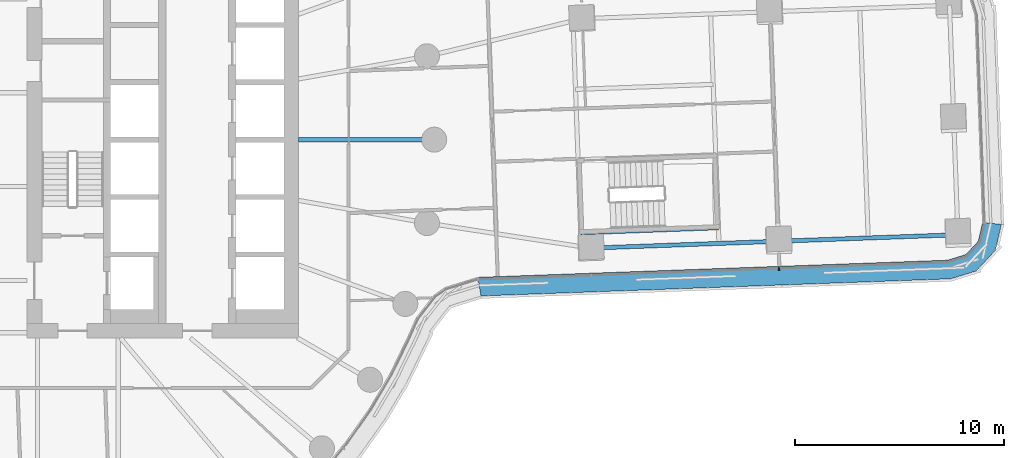
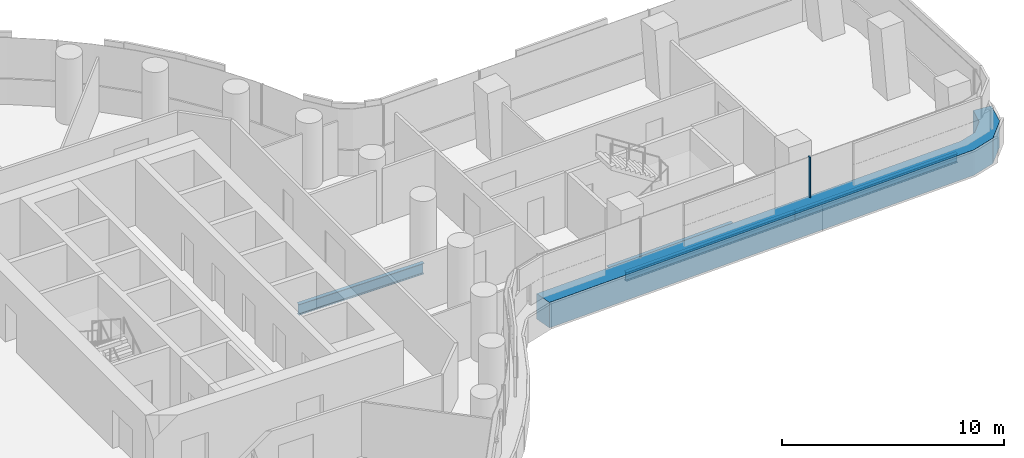
# One storey, part 10 of 31: 4 beams, 2 members, 1 element without a shape of its own.
"""IFC4 building model written with IfcOpenShell, lengths in metres."""

import ifcopenshell
import ifcopenshell.guid

model = None  # the IFC model being written
_history = None  # IfcOwnerHistory: only IFC2X3 demands one
_inside = {}  # id of a spatial element -> (the spatial element, [elements in it])
_under = {}  # id of a project, library or spatial element -> (it, [spatial elements below it])
_declared = {}  # id of a project -> (the project, [libraries it declares])
_typed = {}  # id of a type object -> (the type object, [elements of that type])
_made_of = {}  # id of a material, layer set ... -> (it, [elements and type objects made of it])


def new_model(schema):
    """Start an empty IFC model of exactly this schema.

    Asked for "IFC4X3", IfcOpenShell would pick the latest addendum, in which some entities
    have other attributes; the version numbers below select the first issue.
    IFC2X3 requires an IfcOwnerHistory on every rooted entity: one is made here for all.
    """
    global model, _history
    if schema == "IFC4X3":
        model = ifcopenshell.file(schema_version=(4, 3, 0, 0))
    else:
        model = ifcopenshell.file(schema=schema)
    _inside.clear()
    _under.clear()
    _declared.clear()
    _typed.clear()
    _made_of.clear()
    _history = None
    if model.schema == "IFC2X3":
        org = make("IfcOrganization", Name="unknown")
        user = make(
            "IfcPersonAndOrganization",
            ThePerson=make("IfcPerson", FamilyName="unknown"),
            TheOrganization=org,
        )
        app = make(
            "IfcApplication",
            ApplicationDeveloper=org,
            Version="unknown",
            ApplicationFullName="unknown",
            ApplicationIdentifier="unknown",
        )
        _history = make(
            "IfcOwnerHistory",
            OwningUser=user,
            OwningApplication=app,
            ChangeAction="ADDED",
            CreationDate=0,
        )
    return model


def make(cls, **values):
    """One entity of the class cls with the attributes given. An attribute that is None is left unset."""
    return model.create_entity(
        cls, **{name: value for name, value in values.items() if value is not None}
    )


def rooted(cls, **values):
    """An entity with a GlobalId (a new one), such as an element, a storey or a relation."""
    return make(cls, GlobalId=ifcopenshell.guid.new(), OwnerHistory=_history, **values)


def si_unit(unit_type, name, prefix=None):
    """IfcSIUnit, for example si_unit("LENGTHUNIT", "METRE", prefix="MILLI")."""
    return make("IfcSIUnit", UnitType=unit_type, Prefix=prefix, Name=name)


def assignment(units):
    """IfcUnitAssignment: the units of a project."""
    return None if units is None else make("IfcUnitAssignment", Units=units)


def point(xyz):
    """IfcCartesianPoint."""
    return None if xyz is None else make("IfcCartesianPoint", Coordinates=xyz)


def direction(xyz):
    """IfcDirection."""
    return None if xyz is None else make("IfcDirection", DirectionRatios=xyz)


def frame(location, z_axis=None, x_axis=None):
    """IfcAxis2Placement3D, a coordinate frame: its origin and axes. An axis left out is left unset."""
    return make(
        "IfcAxis2Placement3D",
        Location=point(location),
        Axis=direction(z_axis),
        RefDirection=direction(x_axis),
    )


def frame_2d(location, x_axis=None):
    """IfcAxis2Placement2D, a coordinate frame in the plane: its origin and x axis."""
    return make(
        "IfcAxis2Placement2D", Location=point(location), RefDirection=direction(x_axis)
    )


def origin():
    """The frame at (0, 0, 0) with its axes left unset."""
    return frame((0.0, 0.0, 0.0))


def origin_2d():
    """The frame at (0, 0) in the plane with its x axis left unset."""
    return frame_2d((0.0, 0.0))


def place(relative_to, where):
    """IfcLocalPlacement: puts the frame where relative to a parent placement (None: the world)."""
    return make(
        "IfcLocalPlacement", PlacementRelTo=relative_to, RelativePlacement=where
    )


def context(
    kind, dimensions, precision=None, world=None, true_north=None, identifier=None
):
    """IfcGeometricRepresentationContext, for example the 3D "Model" context."""
    return make(
        "IfcGeometricRepresentationContext",
        ContextIdentifier=identifier,
        ContextType=kind,
        CoordinateSpaceDimension=dimensions,
        Precision=precision,
        WorldCoordinateSystem=world,
        TrueNorth=true_north,
    )


def subcontext(parent, identifier, kind, view, scale=None):
    """IfcGeometricRepresentationSubContext, for example "Body" below "Model"."""
    return make(
        "IfcGeometricRepresentationSubContext",
        ContextIdentifier=identifier,
        ContextType=kind,
        ParentContext=parent,
        TargetScale=scale,
        TargetView=view,
    )


def project(units=None, contexts=None):
    """IfcProject with its units and contexts."""
    return rooted(
        "IfcProject",
        Name="project",
        RepresentationContexts=contexts,
        UnitsInContext=assignment(units),
    )


def spatial(cls, under=None, at=None, **own):
    """A site, building, storey or space (cls), placed at a placement, below another one or the project."""
    s = rooted(cls, ObjectPlacement=at, **own)
    if under is not None:
        _under.setdefault(under.id(), (under, []))[1].append(s)
    return s


def polyline(points):
    """IfcPolyline through the points."""
    return make("IfcPolyline", Points=[point(p) for p in points])


def profile(cls, at=None, kind="AREA", **sizes):
    """A parametric profile (cls). Its sizes go by their IFC names, for example OverallWidth=200.0."""
    return make(cls, ProfileType=kind, Position=at, **sizes)


def rectangle(**sizes):
    """IfcRectangleProfileDef."""
    return profile("IfcRectangleProfileDef", **sizes)


def i_section(**sizes):
    """IfcIShapeProfileDef."""
    return profile("IfcIShapeProfileDef", **sizes)


def outline(outer, holes=None, kind="AREA"):
    """IfcArbitraryClosedProfileDef: a profile drawn as a closed curve; with holes, ...WithVoids."""
    if holes is None:
        return make("IfcArbitraryClosedProfileDef", ProfileType=kind, OuterCurve=outer)
    return make(
        "IfcArbitraryProfileDefWithVoids",
        ProfileType=kind,
        OuterCurve=outer,
        InnerCurves=holes,
    )


def extrude(swept, where, along, depth):
    """IfcExtrudedAreaSolid: the profile swept, set in the frame where, extruded along a direction by depth."""
    return make(
        "IfcExtrudedAreaSolid",
        SweptArea=swept,
        Position=where,
        ExtrudedDirection=direction(along),
        Depth=depth,
    )


def shape(context_of_items, identifier, shape_type, items):
    """IfcShapeRepresentation: the items that make up one representation, for example the "Body"."""
    return make(
        "IfcShapeRepresentation",
        ContextOfItems=context_of_items,
        RepresentationIdentifier=identifier,
        RepresentationType=shape_type,
        Items=items,
    )


def material(Name=None, Category=None):
    """IfcMaterial."""
    return make("IfcMaterial", Name=Name, Category=Category)


def layer(
    of_material, thickness, ventilated=None, Name=None, Category=None, Priority=None
):
    """IfcMaterialLayer: one layer of a wall or slab, of a material (None: an air gap)."""
    return make(
        "IfcMaterialLayer",
        Material=of_material,
        LayerThickness=thickness,
        IsVentilated=ventilated,
        Name=Name,
        Category=Category,
        Priority=Priority,
    )


def layer_set(layers, Name=None):
    """IfcMaterialLayerSet."""
    return make("IfcMaterialLayerSet", MaterialLayers=layers, LayerSetName=Name)


def material_profile(
    of_material, cross_section, Name=None, Category=None, Priority=None
):
    """IfcMaterialProfile: a cross section and its material."""
    return make(
        "IfcMaterialProfile",
        Name=Name,
        Material=of_material,
        Profile=cross_section,
        Priority=Priority,
        Category=Category,
    )


def profile_set(profiles, Name=None, composite=None):
    """IfcMaterialProfileSet."""
    return make(
        "IfcMaterialProfileSet",
        Name=Name,
        MaterialProfiles=profiles,
        CompositeProfile=composite,
    )


def made_of(thing, what):
    """Note that an element or type object is made of a material, layer set ...; save() writes the relation."""
    if what is not None:
        _made_of.setdefault(what.id(), (what, []))[1].append(thing)
    return thing


def type_object(cls, material=None, **own):
    """A type object (cls), such as IfcWallType, which elements share."""
    return made_of(rooted(cls, **own), material)


def element(
    cls,
    number,
    at=None,
    inside=None,
    cuts=None,
    type_object=None,
    material=None,
    context=None,
    identifier="Body",
    shape_type=None,
    held_by="IfcProductDefinitionShape",
    body=None,
    shapes=None,
    **own,
):
    """One element of the class cls, such as IfcWall. Its Tag is "e" and its number.

    at: its placement. inside: the storey or other place that contains it. cuts: it is an
    opening in that element (IfcRelVoidsElement). A single representation is given by context,
    identifier, shape_type and body (its items); several are given by shapes. held_by: the class
    of the entity that holds the representations. save() writes the other relations.
    """
    e = rooted(cls, Tag="e%d" % number, ObjectPlacement=at, **own)
    if body is not None:
        shapes = [shape(context, identifier, shape_type, body)]
    if shapes is not None:
        e.Representation = make(held_by, Representations=shapes)
    if inside is not None:
        _inside.setdefault(inside.id(), (inside, []))[1].append(e)
    if cuts is not None:
        rooted(
            "IfcRelVoidsElement", RelatingBuildingElement=cuts, RelatedOpeningElement=e
        )
    if type_object is not None:
        _typed.setdefault(type_object.id(), (type_object, []))[1].append(e)
    return made_of(e, material)


def aggregate(whole, parts):
    """IfcRelAggregates: a whole, such as a stair, and the parts it consists of."""
    return rooted("IfcRelAggregates", RelatingObject=whole, RelatedObjects=parts)


def save(model, path):
    """Write the relations noted so far, then the file.

    IfcRelAggregates (storeys below a building ...), IfcRelContainedInSpatialStructure (elements
    in a storey), IfcRelDefinesByType, IfcRelAssociatesMaterial and IfcRelDeclares: one each for
    every whole, place, type object, material and project.
    """
    for whole, parts in _under.values():
        aggregate(whole, parts)
    for where, things in _inside.values():
        rooted(
            "IfcRelContainedInSpatialStructure",
            RelatedElements=things,
            RelatingStructure=where,
        )
    for kind, things in _typed.values():
        rooted("IfcRelDefinesByType", RelatedObjects=things, RelatingType=kind)
    for what, things in _made_of.values():
        rooted("IfcRelAssociatesMaterial", RelatedObjects=things, RelatingMaterial=what)
    for by, libraries in _declared.values():
        rooted("IfcRelDeclares", RelatingContext=by, RelatedDefinitions=libraries)
    model.write(path)


model = new_model("IFC4")

# Units and contexts
model_context = context("Model", 3, precision=1e-05, world=origin(), true_north=direction((0.0, 1.0)))
body_context = subcontext(model_context, "Body", "Model", "MODEL_VIEW")
ifc_project = project(units=[si_unit("LENGTHUNIT", "METRE"), si_unit("AREAUNIT", "SQUARE_METRE"), si_unit("VOLUMEUNIT", "CUBIC_METRE"), si_unit("PLANEANGLEUNIT", "RADIAN"), si_unit("MASSUNIT", "GRAM", prefix="KILO")], contexts=[model_context])

# Site, building, storey
site_placement = place(None, origin())
site = spatial("IfcSite", under=ifc_project, at=site_placement, CompositionType="ELEMENT")
building_placement = place(site_placement, origin())
building = spatial("IfcBuilding", under=site, at=building_placement, Name="Tamarind Cross Interchange Tower", CompositionType="ELEMENT")
storey_placement = place(building_placement, frame((0.0, 0.0, 41.5)))
storey = spatial("IfcBuildingStorey", under=building, at=storey_placement, Name="L08", CompositionType="ELEMENT", Elevation=41.5)

# Beams
ifc_material_1 = material(Name="Steel Q355B", Category="steel")
ifc_material_profile_1 = material_profile(ifc_material_1, i_section(OverallWidth=0.198974609375, OverallDepth=0.49609375, WebThickness=0.009033203125, FlangeThickness=0.013916015625, FilletRadius=0.012939453125, at=origin_2d()), Name="HN 496x199x9x14")
ifc_profile_set_1 = profile_set([ifc_material_profile_1], Name="Steel Q355B")
beam_type_1 = type_object("IfcBeamType", Name="Composite beam HN 496x199x9x14 Q355B", PredefinedType="BEAM", material=ifc_profile_set_1)
beam_1_placement = place(storey_placement, frame((48.08544921875, -4.552001953125, -0.387939453125), z_axis=(-0.999335782267, -0.036441655858, 0.0), x_axis=(0.036441655858, -0.999335782267, 0.0)))
element("IfcBeam", 1, at=beam_1_placement, inside=storey, type_object=beam_type_1, Name="Beam E-edgeem5", PredefinedType="BEAM", context=body_context, shape_type="SweptSolid", body=[
    extrude(i_section(OverallWidth=0.198974609375, OverallDepth=0.49609375, WebThickness=0.009033203125, FlangeThickness=0.013916015625, FilletRadius=0.012939453125, at=origin_2d()), origin(), (0.0, 0.0, 1.0), 8.60205078125),
])
beam_2_placement = place(storey_placement, frame((39.489013671875, -4.865478515625, -0.387939453125), z_axis=(-0.999335156233, -0.036458819457, 0.0), x_axis=(0.036458819457, -0.999335156233, 0.0)))
element("IfcBeam", 2, at=beam_2_placement, inside=storey, type_object=beam_type_1, Name="Beam E-edgeem6", PredefinedType="BEAM", context=body_context, shape_type="SweptSolid", body=[
    extrude(i_section(OverallWidth=0.198974609375, OverallDepth=0.49609375, WebThickness=0.009033203125, FlangeThickness=0.013916015625, FilletRadius=0.012939453125, at=origin_2d()), origin(), (0.0, 0.0, 1.0), 9.0),
])
beam_3_placement = place(storey_placement, frame((30.01806640625, -4.460693359375, -0.387939453125), z_axis=(0.999334603893, 0.03647395593, 0.0), x_axis=(-0.03647395593, 0.999334603893, 0.0)))
element("IfcBeam", 3, at=beam_3_placement, inside=storey, type_object=beam_type_1, Name="Beam E-tr0", PredefinedType="BEAM", context=body_context, shape_type="SweptSolid", body=[
    extrude(i_section(OverallWidth=0.198974609375, OverallDepth=0.49609375, WebThickness=0.009033203125, FlangeThickness=0.013916015625, FilletRadius=0.012939453125, at=origin_2d()), origin(), (0.0, 0.0, 1.0), 6.599853515625),
])
ifc_material_profile_2 = material_profile(ifc_material_1, i_section(OverallWidth=0.198974609375, OverallDepth=0.595947265625, WebThickness=0.010009765625, FlangeThickness=0.014892578125, FilletRadius=0.012939453125, at=origin_2d()), Name="HN 596x199x10x15")
ifc_profile_set_2 = profile_set([ifc_material_profile_2], Name="Steel Q355B")
beam_type_2 = type_object("IfcBeamType", Name="Composite beam HN 596x199x10x15 Q355B", PredefinedType="BEAM", material=ifc_profile_set_2)
beam_4_placement = place(storey_placement, frame((23.0, 0.0, -0.43798828125), z_axis=(-1.0, 0.0, 0.0), x_axis=(0.0, -1.0, 0.0)))
element("IfcBeam", 4, at=beam_4_placement, inside=storey, type_object=beam_type_2, Name="Beam HH00", PredefinedType="BEAM", context=body_context, shape_type="SweptSolid", body=[
    extrude(i_section(OverallWidth=0.198974609375, OverallDepth=0.595947265625, WebThickness=0.010009765625, FlangeThickness=0.014892578125, FilletRadius=0.012939453125, at=origin_2d()), origin(), (0.0, 0.0, 1.0), 6.5),
])

# Curtain wall, members
ifc_material_2 = material(Name="Aluminium 6063-T6", Category="aluminium")
ifc_layer = layer(ifc_material_2, 0.159912109375)
ifc_layer_set = layer_set([ifc_layer], Name="Aluminium 6063-T6")
curtain_wall_type = type_object("IfcCurtainWallType", Name="Office curtain wall, 9.0 m bays", PredefinedType="NOTDEFINED", material=ifc_layer_set)
curtain_wall_placement = place(storey_placement, origin())
curtain_wall = element("IfcCurtainWall", 5, at=curtain_wall_placement, inside=storey, type_object=curtain_wall_type, Name="CWS-L08-07", PredefinedType="NOTDEFINED")
ifc_material_3 = material(Name="Aluminium and insulated spandrel panel", Category="aluminium")
member_type_1 = type_object("IfcMemberType", Name="Floor-edge blade transom", PredefinedType="USERDEFINED", material=ifc_material_3)
member_1_placement = place(storey_placement, origin())
member_1 = element("IfcMember", 6, at=member_1_placement, type_object=member_type_1, Name="CWT-L08-07", ObjectType="TRANSOM", PredefinedType="USERDEFINED", context=body_context, shape_type="SweptSolid", body=[
    extrude(outline(polyline([(25.08544921875, -6.591796875), (47.590087890625, -5.770751953125), (48.465087890625, -5.501708984375), (49.060546875, -4.861328125), (49.264892578125, -3.968994140625), (50.168701171875, -4.0546875), (49.8837890625, -5.29736328125), (48.9599609375, -6.291259765625), (47.7412109375, -6.665771484375), (25.23779296875, -7.48681640625), (25.08544921875, -6.591796875)])), origin(), (0.0, 0.0, 1.0), 1.39990234375),
])
ifc_material_profile_3 = material_profile(ifc_material_2, rectangle(XDim=0.06005859375, YDim=0.159912109375, at=origin_2d()), Name="Mullion CW1")
ifc_profile_set_3 = profile_set([ifc_material_profile_3], Name="Aluminium 6063-T6")
member_type_2 = type_object("IfcMemberType", Name="Mullion CW1", PredefinedType="MULLION", material=ifc_profile_set_3)
member_2_placement = place(storey_placement, frame((39.510009765625, -6.16552734375, 1.39990234375), z_axis=(0.0, 0.0, 1.0), x_axis=(0.999335028671, 0.036462315768, 0.0)))
member_2 = element("IfcMember", 7, at=member_2_placement, type_object=member_type_2, Name="CWM-L08-07-02", PredefinedType="MULLION", context=body_context, shape_type="SweptSolid", body=[
    extrude(rectangle(XDim=0.06005859375, YDim=0.159912109375, at=origin_2d()), origin(), (0.0, 0.0, 1.0), 2.210205078125),
])
aggregate(curtain_wall, [member_2, member_1])

save(model, "model.ifc")
